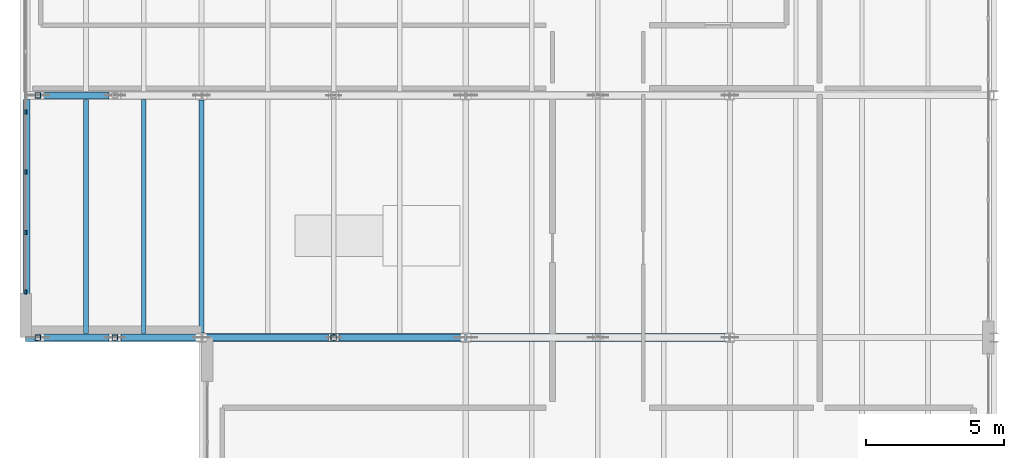
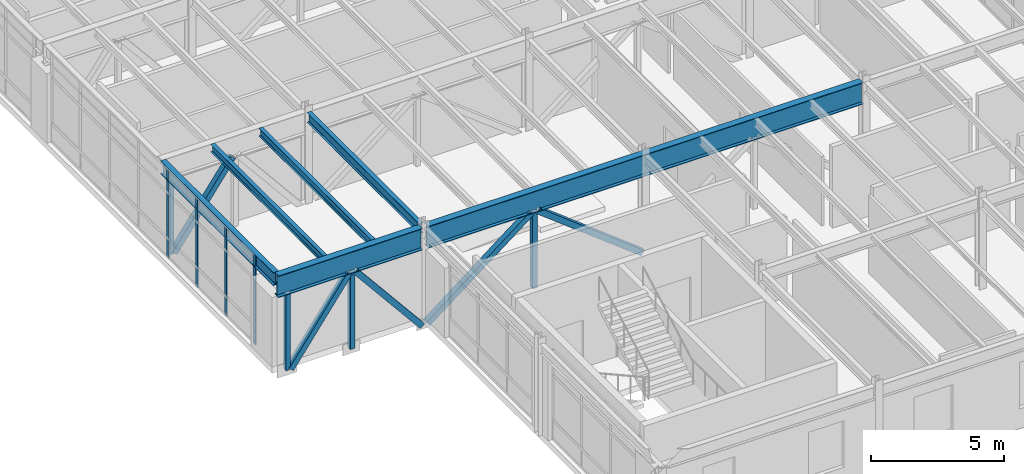
# One storey, part 20 of 88: 13 members, 6 beams, 1 element without a shape of its own.
"""IFC4 building model written with IfcOpenShell, lengths in metres."""

import ifcopenshell
import ifcopenshell.guid

model = None  # the IFC model being written
_history = None  # IfcOwnerHistory: only IFC2X3 demands one
_inside = {}  # id of a spatial element -> (the spatial element, [elements in it])
_under = {}  # id of a project, library or spatial element -> (it, [spatial elements below it])
_declared = {}  # id of a project -> (the project, [libraries it declares])
_typed = {}  # id of a type object -> (the type object, [elements of that type])
_made_of = {}  # id of a material, layer set ... -> (it, [elements and type objects made of it])


def new_model(schema):
    """Start an empty IFC model of exactly this schema.

    Asked for "IFC4X3", IfcOpenShell would pick the latest addendum, in which some entities
    have other attributes; the version numbers below select the first issue.
    IFC2X3 requires an IfcOwnerHistory on every rooted entity: one is made here for all.
    """
    global model, _history
    if schema == "IFC4X3":
        model = ifcopenshell.file(schema_version=(4, 3, 0, 0))
    else:
        model = ifcopenshell.file(schema=schema)
    _inside.clear()
    _under.clear()
    _declared.clear()
    _typed.clear()
    _made_of.clear()
    _history = None
    if model.schema == "IFC2X3":
        org = make("IfcOrganization", Name="unknown")
        user = make(
            "IfcPersonAndOrganization",
            ThePerson=make("IfcPerson", FamilyName="unknown"),
            TheOrganization=org,
        )
        app = make(
            "IfcApplication",
            ApplicationDeveloper=org,
            Version="unknown",
            ApplicationFullName="unknown",
            ApplicationIdentifier="unknown",
        )
        _history = make(
            "IfcOwnerHistory",
            OwningUser=user,
            OwningApplication=app,
            ChangeAction="ADDED",
            CreationDate=0,
        )
    return model


def make(cls, **values):
    """One entity of the class cls with the attributes given. An attribute that is None is left unset."""
    return model.create_entity(
        cls, **{name: value for name, value in values.items() if value is not None}
    )


def rooted(cls, **values):
    """An entity with a GlobalId (a new one), such as an element, a storey or a relation."""
    return make(cls, GlobalId=ifcopenshell.guid.new(), OwnerHistory=_history, **values)


def si_unit(unit_type, name, prefix=None):
    """IfcSIUnit, for example si_unit("LENGTHUNIT", "METRE", prefix="MILLI")."""
    return make("IfcSIUnit", UnitType=unit_type, Prefix=prefix, Name=name)


def assignment(units):
    """IfcUnitAssignment: the units of a project."""
    return None if units is None else make("IfcUnitAssignment", Units=units)


def point(xyz):
    """IfcCartesianPoint."""
    return None if xyz is None else make("IfcCartesianPoint", Coordinates=xyz)


def direction(xyz):
    """IfcDirection."""
    return None if xyz is None else make("IfcDirection", DirectionRatios=xyz)


def frame(location, z_axis=None, x_axis=None):
    """IfcAxis2Placement3D, a coordinate frame: its origin and axes. An axis left out is left unset."""
    return make(
        "IfcAxis2Placement3D",
        Location=point(location),
        Axis=direction(z_axis),
        RefDirection=direction(x_axis),
    )


def frame_2d(location, x_axis=None):
    """IfcAxis2Placement2D, a coordinate frame in the plane: its origin and x axis."""
    return make(
        "IfcAxis2Placement2D", Location=point(location), RefDirection=direction(x_axis)
    )


def origin():
    """The frame at (0, 0, 0) with its axes left unset."""
    return frame((0.0, 0.0, 0.0))


def origin_2d():
    """The frame at (0, 0) in the plane with its x axis left unset."""
    return frame_2d((0.0, 0.0))


def place(relative_to, where):
    """IfcLocalPlacement: puts the frame where relative to a parent placement (None: the world)."""
    return make(
        "IfcLocalPlacement", PlacementRelTo=relative_to, RelativePlacement=where
    )


def context(
    kind, dimensions, precision=None, world=None, true_north=None, identifier=None
):
    """IfcGeometricRepresentationContext, for example the 3D "Model" context."""
    return make(
        "IfcGeometricRepresentationContext",
        ContextIdentifier=identifier,
        ContextType=kind,
        CoordinateSpaceDimension=dimensions,
        Precision=precision,
        WorldCoordinateSystem=world,
        TrueNorth=true_north,
    )


def subcontext(parent, identifier, kind, view, scale=None):
    """IfcGeometricRepresentationSubContext, for example "Body" below "Model"."""
    return make(
        "IfcGeometricRepresentationSubContext",
        ContextIdentifier=identifier,
        ContextType=kind,
        ParentContext=parent,
        TargetScale=scale,
        TargetView=view,
    )


def project(units=None, contexts=None):
    """IfcProject with its units and contexts."""
    return rooted(
        "IfcProject",
        Name="project",
        RepresentationContexts=contexts,
        UnitsInContext=assignment(units),
    )


def spatial(cls, under=None, at=None, **own):
    """A site, building, storey or space (cls), placed at a placement, below another one or the project."""
    s = rooted(cls, ObjectPlacement=at, **own)
    if under is not None:
        _under.setdefault(under.id(), (under, []))[1].append(s)
    return s


def profile(cls, at=None, kind="AREA", **sizes):
    """A parametric profile (cls). Its sizes go by their IFC names, for example OverallWidth=200.0."""
    return make(cls, ProfileType=kind, Position=at, **sizes)


def rectangle(**sizes):
    """IfcRectangleProfileDef."""
    return profile("IfcRectangleProfileDef", **sizes)


def hollow_rectangle(**sizes):
    """IfcRectangleHollowProfileDef."""
    return profile("IfcRectangleHollowProfileDef", **sizes)


def i_section(**sizes):
    """IfcIShapeProfileDef."""
    return profile("IfcIShapeProfileDef", **sizes)


def extrude(swept, where, along, depth):
    """IfcExtrudedAreaSolid: the profile swept, set in the frame where, extruded along a direction by depth."""
    return make(
        "IfcExtrudedAreaSolid",
        SweptArea=swept,
        Position=where,
        ExtrudedDirection=direction(along),
        Depth=depth,
    )


def shape(context_of_items, identifier, shape_type, items):
    """IfcShapeRepresentation: the items that make up one representation, for example the "Body"."""
    return make(
        "IfcShapeRepresentation",
        ContextOfItems=context_of_items,
        RepresentationIdentifier=identifier,
        RepresentationType=shape_type,
        Items=items,
    )


def material(Name=None, Category=None):
    """IfcMaterial."""
    return make("IfcMaterial", Name=Name, Category=Category)


def material_profile(
    of_material, cross_section, Name=None, Category=None, Priority=None
):
    """IfcMaterialProfile: a cross section and its material."""
    return make(
        "IfcMaterialProfile",
        Name=Name,
        Material=of_material,
        Profile=cross_section,
        Priority=Priority,
        Category=Category,
    )


def profile_set(profiles, Name=None, composite=None):
    """IfcMaterialProfileSet."""
    return make(
        "IfcMaterialProfileSet",
        Name=Name,
        MaterialProfiles=profiles,
        CompositeProfile=composite,
    )


def made_of(thing, what):
    """Note that an element or type object is made of a material, layer set ...; save() writes the relation."""
    if what is not None:
        _made_of.setdefault(what.id(), (what, []))[1].append(thing)
    return thing


def type_object(cls, material=None, **own):
    """A type object (cls), such as IfcWallType, which elements share."""
    return made_of(rooted(cls, **own), material)


def element(
    cls,
    number,
    at=None,
    inside=None,
    cuts=None,
    type_object=None,
    material=None,
    context=None,
    identifier="Body",
    shape_type=None,
    held_by="IfcProductDefinitionShape",
    body=None,
    shapes=None,
    **own,
):
    """One element of the class cls, such as IfcWall. Its Tag is "e" and its number.

    at: its placement. inside: the storey or other place that contains it. cuts: it is an
    opening in that element (IfcRelVoidsElement). A single representation is given by context,
    identifier, shape_type and body (its items); several are given by shapes. held_by: the class
    of the entity that holds the representations. save() writes the other relations.
    """
    e = rooted(cls, Tag="e%d" % number, ObjectPlacement=at, **own)
    if body is not None:
        shapes = [shape(context, identifier, shape_type, body)]
    if shapes is not None:
        e.Representation = make(held_by, Representations=shapes)
    if inside is not None:
        _inside.setdefault(inside.id(), (inside, []))[1].append(e)
    if cuts is not None:
        rooted(
            "IfcRelVoidsElement", RelatingBuildingElement=cuts, RelatedOpeningElement=e
        )
    if type_object is not None:
        _typed.setdefault(type_object.id(), (type_object, []))[1].append(e)
    return made_of(e, material)


def aggregate(whole, parts):
    """IfcRelAggregates: a whole, such as a stair, and the parts it consists of."""
    return rooted("IfcRelAggregates", RelatingObject=whole, RelatedObjects=parts)


def save(model, path):
    """Write the relations noted so far, then the file.

    IfcRelAggregates (storeys below a building ...), IfcRelContainedInSpatialStructure (elements
    in a storey), IfcRelDefinesByType, IfcRelAssociatesMaterial and IfcRelDeclares: one each for
    every whole, place, type object, material and project.
    """
    for whole, parts in _under.values():
        aggregate(whole, parts)
    for where, things in _inside.values():
        rooted(
            "IfcRelContainedInSpatialStructure",
            RelatedElements=things,
            RelatingStructure=where,
        )
    for kind, things in _typed.values():
        rooted("IfcRelDefinesByType", RelatedObjects=things, RelatingType=kind)
    for what, things in _made_of.values():
        rooted("IfcRelAssociatesMaterial", RelatedObjects=things, RelatingMaterial=what)
    for by, libraries in _declared.values():
        rooted("IfcRelDeclares", RelatingContext=by, RelatedDefinitions=libraries)
    model.write(path)


model = new_model("IFC4")

# Units and contexts
model_context = context("Model", 3, precision=1e-05, world=origin(), true_north=direction((0.0, 1.0)))
body_context = subcontext(model_context, "Body", "Model", "MODEL_VIEW")
ifc_project = project(units=[si_unit("LENGTHUNIT", "METRE"), si_unit("AREAUNIT", "SQUARE_METRE"), si_unit("VOLUMEUNIT", "CUBIC_METRE"), si_unit("PLANEANGLEUNIT", "RADIAN"), si_unit("MASSUNIT", "GRAM", prefix="KILO")], contexts=[model_context])

# Site, building, storey
site_placement = place(None, origin())
site = spatial("IfcSite", under=ifc_project, at=site_placement, CompositionType="ELEMENT")
building_placement = place(site_placement, origin())
building = spatial("IfcBuilding", under=site, at=building_placement, Name="Sarnbrook Museum", CompositionType="ELEMENT")
storey_placement = place(building_placement, frame((0.0, 0.0, 10.10009765625)))
storey = spatial("IfcBuildingStorey", under=building, at=storey_placement, Name="L02", CompositionType="ELEMENT", Elevation=10.10009765625)

# Beams
ifc_material_1 = material(Name="Structural Steel Grade 300PLUS (AS/NZS 3679.1, fy = 280 MPa for 17 < t <= 40 mm, 300 MPa for t <= 17 mm)", Category="steel")
ifc_material_profile_1 = material_profile(ifc_material_1, i_section(OverallWidth=0.18994140625, OverallDepth=0.45703125, WebThickness=0.009033203125, FlangeThickness=0.014404296875, FilletRadius=0.011474609375, at=origin_2d()), Name="460UB74.6")
ifc_profile_set_1 = profile_set([ifc_material_profile_1], Name="Structural Steel Grade 300PLUS (AS/NZS 3679.1, fy = 280 MPa for 17 < t <= 40 mm, 300 MPa for t <= 17 mm)")
beam_type_1 = type_object("IfcBeamType", Name="BM-UB460", PredefinedType="BEAM", material=ifc_profile_set_1)
beam_1_placement = place(storey_placement, frame((13.60009765625, 56.96337890625, 3.991455078125), z_axis=(0.0, 1.0, 0.0), x_axis=(-1.0, 0.0, 0.0)))
element("IfcBeam", 1, at=beam_1_placement, inside=storey, type_object=beam_type_1, Name="Girder 2:G-H L02", PredefinedType="BEAM", context=body_context, shape_type="SweptSolid", body=[
    extrude(i_section(OverallWidth=0.18994140625, OverallDepth=0.45703125, WebThickness=0.009033203125, FlangeThickness=0.014404296875, FilletRadius=0.011474609375, at=origin_2d()), origin(), (0.0, 0.0, 1.0), 8.47314453125),
])
ifc_material_profile_2 = material_profile(ifc_material_1, i_section(OverallWidth=0.22802734375, OverallDepth=0.60693359375, WebThickness=0.01123046875, FlangeThickness=0.017333984375, FilletRadius=0.013916015625, at=origin_2d()), Name="610UB113")
ifc_profile_set_2 = profile_set([ifc_material_profile_2], Name="Structural Steel Grade 300PLUS (AS/NZS 3679.1, fy = 280 MPa for 17 < t <= 40 mm, 300 MPa for t <= 17 mm)")
beam_type_2 = type_object("IfcBeamType", Name="BM-UB610", PredefinedType="BEAM", material=ifc_profile_set_2)
beam_2_placement = place(storey_placement, frame((7.25, 56.949951171875, 3.91650390625), z_axis=(0.0, 1.0, 0.0), x_axis=(-1.0, 0.0, 0.0)))
element("IfcBeam", 2, at=beam_2_placement, inside=storey, type_object=beam_type_2, Name="Cantilever Gallery Joist L02 X=7.25", PredefinedType="BEAM", context=body_context, shape_type="SweptSolid", body=[
    extrude(i_section(OverallWidth=0.22802734375, OverallDepth=0.60693359375, WebThickness=0.01123046875, FlangeThickness=0.017333984375, FilletRadius=0.013916015625, at=origin_2d()), origin(), (0.0, 0.0, 1.0), 8.5),
])

# Members
ifc_material_2 = material(Name="Structural Steel Hollow Section Grade C350L0 (AS/NZS 1163, fy = 350 MPa)", Category="steel")
ifc_material_profile_3 = material_profile(ifc_material_2, hollow_rectangle(XDim=0.199951171875, YDim=0.199951171875, WallThickness=0.010009765625, at=origin_2d()), Name="200x200x10.0SHS")
ifc_profile_set_3 = profile_set([ifc_material_profile_3], Name="Structural Steel Hollow Section Grade C350L0 (AS/NZS 1163, fy = 350 MPa)")
member_type_1 = type_object("IfcMemberType", Name="CH-SHS200", PredefinedType="CHORD", material=ifc_profile_set_3)
for number, where, z_axis, x_axis, name in (
    (3, (18.39990234375, 56.800048828125, -0.300048828125), (0.0, 0.0, 1.0), (1.0, 0.0, 0.0), "Transfer Truss TT1 Web Post 3"),
    (4, (10.449951171875, 56.800048828125, -0.300048828125), (0.0, 0.0, 1.0), (1.0, 0.0, 0.0), "Transfer Truss TT1 Web Post 5"),
    (5, (7.64990234375, 56.800048828125, -0.300048828125), (0.0, 0.0, 1.0), (1.0, 0.0, 0.0), "Transfer Truss TT1 Web Post 6"),
    (6, (7.64990234375, 65.60009765625, -0.300048828125), (0.0, 0.0, 1.0), (1.0, 0.0, 0.0), "Transfer Truss TT2 Web Post 6"),
):
    element("IfcMember", number, at=place(storey_placement, frame(where, z_axis=z_axis, x_axis=x_axis)), inside=storey, type_object=member_type_1, Name=name, PredefinedType="CHORD", context=body_context, shape_type="SweptSolid", body=[
        extrude(hollow_rectangle(XDim=0.199951171875, YDim=0.199951171875, WallThickness=0.010009765625, at=origin_2d()), origin(), (0.0, 0.0, 1.0), 3.5400390625),
    ])

# Curtain wall, members
ifc_material_3 = material(Name="Thermally Broken Anodised Aluminium 6063-T6", Category="aluminium")
curtain_wall_type = type_object("IfcCurtainWallType", Name="CurtainWall_GalleryRibbon", PredefinedType="NOTDEFINED", material=ifc_material_3)
curtain_wall_placement = place(storey_placement, origin())
curtain_wall = element("IfcCurtainWall", 7, at=curtain_wall_placement, inside=storey, type_object=curtain_wall_type, Name="Gallery Ribbon Curtain Wall L02-8.2", PredefinedType="NOTDEFINED")
ifc_material_profile_4 = material_profile(ifc_material_3, rectangle(XDim=0.06005859375, YDim=0.159912109375, at=origin_2d()), Name="ALU MULLION 60x160")
ifc_profile_set_4 = profile_set([ifc_material_profile_4], Name="Thermally Broken Anodised Aluminium 6063-T6")
member_type_2 = type_object("IfcMemberType", Name="CW_Mullion_150x65", PredefinedType="MULLION", material=ifc_profile_set_4)
member_1_placement = place(storey_placement, frame((7.2099609375, 65.0029296875, 0.0), z_axis=(0.0, 0.0, 1.0), x_axis=(1.0, 0.0, 0.0)))
member_1 = element("IfcMember", 8, at=member_1_placement, type_object=member_type_2, Name="Gallery Ribbon Curtain Wall L02-8.2 Mullion 5", PredefinedType="MULLION", context=body_context, shape_type="SweptSolid", body=[
    extrude(rectangle(XDim=0.06005859375, YDim=0.159912109375, at=origin_2d()), origin(), (0.0, 0.0, 1.0), 4.159912109375),
])
member_2_placement = place(storey_placement, frame((7.2099609375, 62.80859375, 0.0), z_axis=(0.0, 0.0, 1.0), x_axis=(1.0, 0.0, 0.0)))
member_2 = element("IfcMember", 9, at=member_2_placement, type_object=member_type_2, Name="Gallery Ribbon Curtain Wall L02-8.2 Mullion 6", PredefinedType="MULLION", context=body_context, shape_type="SweptSolid", body=[
    extrude(rectangle(XDim=0.06005859375, YDim=0.159912109375, at=origin_2d()), origin(), (0.0, 0.0, 1.0), 4.159912109375),
])
member_3_placement = place(storey_placement, frame((7.2099609375, 60.6142578125, 0.0), z_axis=(0.0, 0.0, 1.0), x_axis=(1.0, 0.0, 0.0)))
member_3 = element("IfcMember", 10, at=member_3_placement, type_object=member_type_2, Name="Gallery Ribbon Curtain Wall L02-8.2 Mullion 7", PredefinedType="MULLION", context=body_context, shape_type="SweptSolid", body=[
    extrude(rectangle(XDim=0.06005859375, YDim=0.159912109375, at=origin_2d()), origin(), (0.0, 0.0, 1.0), 4.159912109375),
])
member_4_placement = place(storey_placement, frame((7.2099609375, 58.4599609375, 0.0), z_axis=(0.0, 0.0, 1.0), x_axis=(1.0, 0.0, 0.0)))
member_4 = element("IfcMember", 11, at=member_4_placement, type_object=member_type_2, Name="Gallery Ribbon Curtain Wall L02-8.2 Mullion 8", PredefinedType="MULLION", context=body_context, shape_type="SweptSolid", body=[
    extrude(rectangle(XDim=0.06005859375, YDim=0.159912109375, at=origin_2d()), origin(), (0.0, 0.0, 1.0), 4.159912109375),
])
aggregate(curtain_wall, [member_1, member_2, member_3, member_4])

# Beams
ifc_material_profile_5 = material_profile(ifc_material_1, i_section(OverallWidth=0.1708984375, OverallDepth=0.35595703125, WebThickness=0.00732421875, FlangeThickness=0.011474609375, FilletRadius=0.011474609375, at=origin_2d()), Name="360UB50.7")
ifc_profile_set_5 = profile_set([ifc_material_profile_5], Name="Structural Steel Grade 300PLUS (AS/NZS 3679.1, fy = 280 MPa for 17 < t <= 40 mm, 300 MPa for t <= 17 mm)")
beam_type_3 = type_object("IfcBeamType", Name="JS-UB360", PredefinedType="JOIST", material=ifc_profile_set_5)
for number, where, z_axis, x_axis, name in (
    (12, (9.39990234375, 56.949951171875, 4.0419921875), (0.0, 1.0, 0.0), (-1.0, 0.0, 0.0), "Cantilever Gallery Joist L02 X=9.4"),
    (13, (11.5, 56.949951171875, 4.0419921875), (0.0, 1.0, 0.0), (-1.0, 0.0, 0.0), "Cantilever Gallery Joist L02 X=11.5"),
):
    element("IfcBeam", number, at=place(storey_placement, frame(where, z_axis=z_axis, x_axis=x_axis)), inside=storey, type_object=beam_type_3, Name=name, PredefinedType="JOIST", context=body_context, shape_type="SweptSolid", body=[
        extrude(i_section(OverallWidth=0.1708984375, OverallDepth=0.35595703125, WebThickness=0.00732421875, FlangeThickness=0.011474609375, FilletRadius=0.011474609375, at=origin_2d()), origin(), (0.0, 0.0, 1.0), 8.5),
    ])

# Members
ifc_material_profile_6 = material_profile(ifc_material_2, hollow_rectangle(XDim=0.25, YDim=0.25, WallThickness=0.012451171875, at=origin_2d()), Name="250x250x12.5SHS")
ifc_profile_set_6 = profile_set([ifc_material_profile_6], Name="Structural Steel Hollow Section Grade C350L0 (AS/NZS 1163, fy = 350 MPa)")
member_type_3 = type_object("IfcMemberType", Name="MB-SHS250", PredefinedType="BRACE", material=ifc_profile_set_6)
for number, where, z_axis, x_axis, name in (
    (14, (23.080078125, 56.800048828125, -0.300048828125), (-0.789912082427, 0.0, 0.613220108962), (0.0, -1.0, 0.0), "Transfer Truss TT1 Web Diagonal 3"),
    (15, (18.280029296875, 56.800048828125, 3.239990234375), (-0.789912082427, 0.0, -0.613220108962), (0.0, -1.0, 0.0), "Transfer Truss TT1 Web Diagonal 4"),
):
    element("IfcMember", number, at=place(storey_placement, frame(where, z_axis=z_axis, x_axis=x_axis)), inside=storey, type_object=member_type_3, Name=name, PredefinedType="BRACE", context=body_context, shape_type="SweptSolid", body=[
        extrude(hollow_rectangle(XDim=0.25, YDim=0.25, WallThickness=0.012451171875, at=origin_2d()), origin(), (0.0, 0.0, 1.0), 5.77294921875),
    ])
member_5_placement = place(storey_placement, frame((13.47998046875, 56.800048828125, -0.300048828125), z_axis=(-0.635002969329, 0.0, 0.772509695048), x_axis=(0.0, -1.0, 0.0)))
element("IfcMember", 16, at=member_5_placement, inside=storey, type_object=member_type_3, Name="Transfer Truss TT1 Web Diagonal 5", PredefinedType="BRACE", context=body_context, shape_type="SweptSolid", body=[
    extrude(hollow_rectangle(XDim=0.25, YDim=0.25, WallThickness=0.012451171875, at=origin_2d()), origin(), (0.0, 0.0, 1.0), 4.58251953125),
])
for number, where, z_axis, x_axis, name in (
    (17, (10.330078125, 56.800048828125, 3.239990234375), (-0.585996453635, 0.0, -0.810313616032), (0.0, -1.0, 0.0), "Transfer Truss TT1 Web Diagonal 6"),
    (18, (10.330078125, 65.60009765625, 3.239990234375), (-0.585996453635, 0.0, -0.810313616032), (0.0, -1.0, 0.0), "Transfer Truss TT2 Web Diagonal 6"),
):
    element("IfcMember", number, at=place(storey_placement, frame(where, z_axis=z_axis, x_axis=x_axis)), inside=storey, type_object=member_type_3, Name=name, PredefinedType="BRACE", context=body_context, shape_type="SweptSolid", body=[
        extrude(hollow_rectangle(XDim=0.25, YDim=0.25, WallThickness=0.012451171875, at=origin_2d()), origin(), (0.0, 0.0, 1.0), 4.36865234375),
    ])

# Beams
ifc_material_4 = material(Name="Structural Steel Grade 350L0 (AS/NZS 3678, fy = 340 MPa for 20 < t <= 40 mm)", Category="steel")
ifc_material_profile_7 = material_profile(ifc_material_4, i_section(OverallWidth=0.300048828125, OverallDepth=1.0, WebThickness=0.01611328125, FlangeThickness=0.02490234375, at=origin_2d()), Name="1000WB215")
ifc_profile_set_7 = profile_set([ifc_material_profile_7], Name="Structural Steel Grade 350L0 (AS/NZS 3678, fy = 340 MPa for 20 < t <= 40 mm)")
beam_type_4 = type_object("IfcBeamType", Name="TT-CHORD", PredefinedType="BEAM", material=ifc_profile_set_7)
beam_3_placement = place(storey_placement, frame((32.679931640625, 56.800048828125, 3.719970703125), z_axis=(-1.0, 0.0, 0.0), x_axis=(0.0, -1.0, 0.0)))
element("IfcBeam", 19, at=beam_3_placement, inside=storey, type_object=beam_type_4, Name="Cantilever Transfer Truss TT1 Top Back-Span Chord", PredefinedType="BEAM", context=body_context, shape_type="SweptSolid", body=[
    extrude(i_section(OverallWidth=0.300048828125, OverallDepth=1.0, WebThickness=0.01611328125, FlangeThickness=0.02490234375, at=origin_2d()), origin(), (0.0, 0.0, 1.0), 18.9599609375),
])
beam_4_placement = place(storey_placement, frame((13.47998046875, 56.800048828125, 3.719970703125), z_axis=(-1.0, 0.0, 0.0), x_axis=(0.0, -1.0, 0.0)))
element("IfcBeam", 20, at=beam_4_placement, inside=storey, type_object=beam_type_4, Name="Cantilever Transfer Truss TT1 Top Chord", PredefinedType="BEAM", context=body_context, shape_type="SweptSolid", body=[
    extrude(i_section(OverallWidth=0.300048828125, OverallDepth=1.0, WebThickness=0.01611328125, FlangeThickness=0.02490234375, at=origin_2d()), origin(), (0.0, 0.0, 1.0), 6.280029296875),
])

save(model, "model.ifc")
